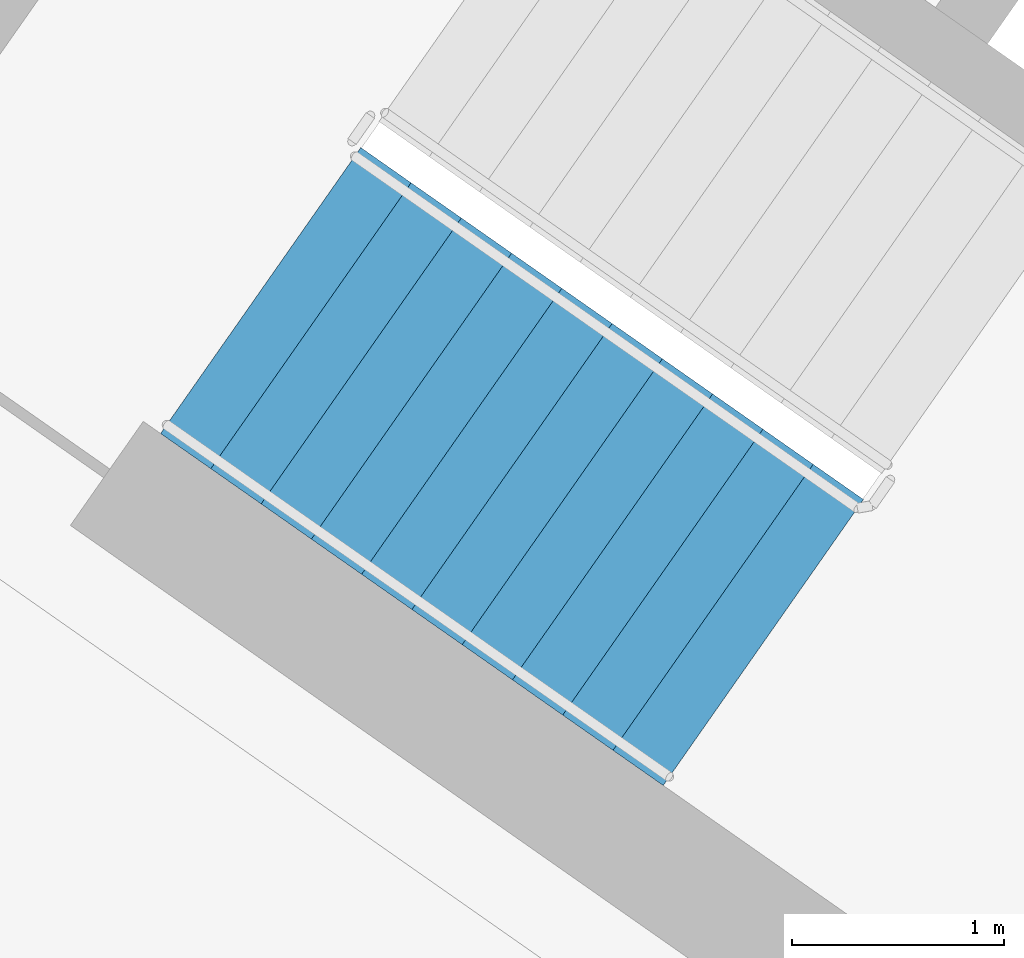
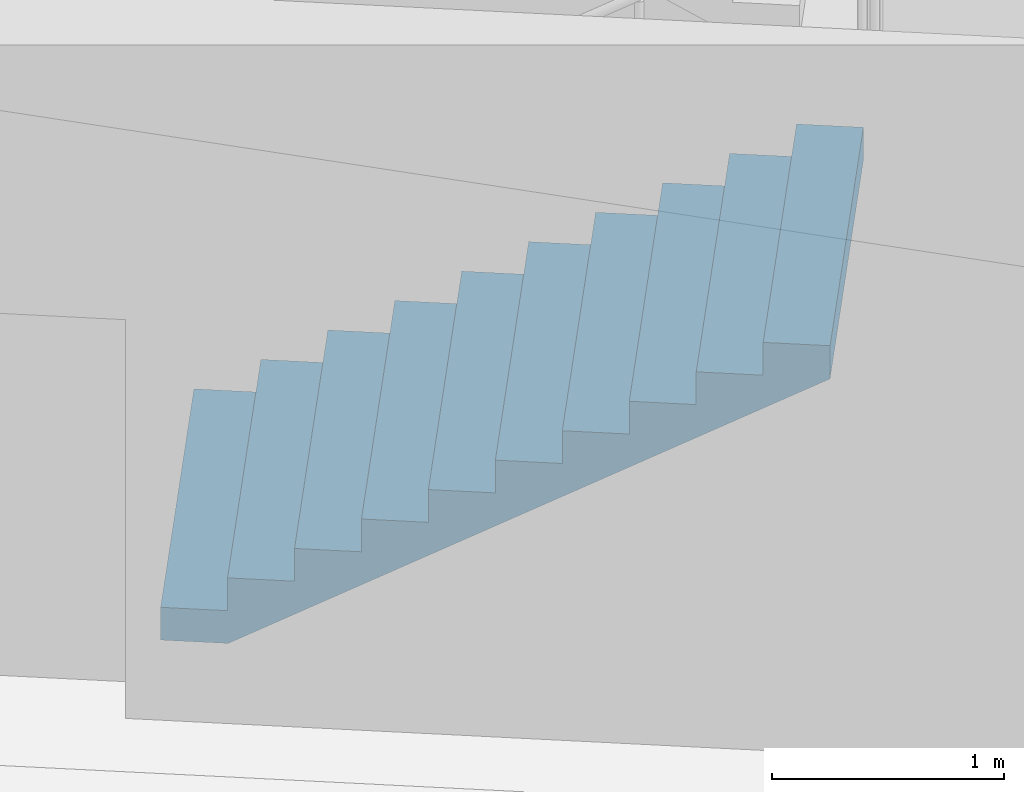
# One storey, part 9 of 27: 1 stair flight, 1 element without a shape of its own.
"""IFC4 building model written with IfcOpenShell, lengths in metres."""

import ifcopenshell
import ifcopenshell.guid

model = None  # the IFC model being written
_history = None  # IfcOwnerHistory: only IFC2X3 demands one
_inside = {}  # id of a spatial element -> (the spatial element, [elements in it])
_under = {}  # id of a project, library or spatial element -> (it, [spatial elements below it])
_declared = {}  # id of a project -> (the project, [libraries it declares])
_typed = {}  # id of a type object -> (the type object, [elements of that type])
_made_of = {}  # id of a material, layer set ... -> (it, [elements and type objects made of it])


def new_model(schema):
    """Start an empty IFC model of exactly this schema.

    Asked for "IFC4X3", IfcOpenShell would pick the latest addendum, in which some entities
    have other attributes; the version numbers below select the first issue.
    IFC2X3 requires an IfcOwnerHistory on every rooted entity: one is made here for all.
    """
    global model, _history
    if schema == "IFC4X3":
        model = ifcopenshell.file(schema_version=(4, 3, 0, 0))
    else:
        model = ifcopenshell.file(schema=schema)
    _inside.clear()
    _under.clear()
    _declared.clear()
    _typed.clear()
    _made_of.clear()
    _history = None
    if model.schema == "IFC2X3":
        org = make("IfcOrganization", Name="unknown")
        user = make(
            "IfcPersonAndOrganization",
            ThePerson=make("IfcPerson", FamilyName="unknown"),
            TheOrganization=org,
        )
        app = make(
            "IfcApplication",
            ApplicationDeveloper=org,
            Version="unknown",
            ApplicationFullName="unknown",
            ApplicationIdentifier="unknown",
        )
        _history = make(
            "IfcOwnerHistory",
            OwningUser=user,
            OwningApplication=app,
            ChangeAction="ADDED",
            CreationDate=0,
        )
    return model


def make(cls, **values):
    """One entity of the class cls with the attributes given. An attribute that is None is left unset."""
    return model.create_entity(
        cls, **{name: value for name, value in values.items() if value is not None}
    )


def rooted(cls, **values):
    """An entity with a GlobalId (a new one), such as an element, a storey or a relation."""
    return make(cls, GlobalId=ifcopenshell.guid.new(), OwnerHistory=_history, **values)


def si_unit(unit_type, name, prefix=None):
    """IfcSIUnit, for example si_unit("LENGTHUNIT", "METRE", prefix="MILLI")."""
    return make("IfcSIUnit", UnitType=unit_type, Prefix=prefix, Name=name)


def assignment(units):
    """IfcUnitAssignment: the units of a project."""
    return None if units is None else make("IfcUnitAssignment", Units=units)


def point(xyz):
    """IfcCartesianPoint."""
    return None if xyz is None else make("IfcCartesianPoint", Coordinates=xyz)


def direction(xyz):
    """IfcDirection."""
    return None if xyz is None else make("IfcDirection", DirectionRatios=xyz)


def frame(location, z_axis=None, x_axis=None):
    """IfcAxis2Placement3D, a coordinate frame: its origin and axes. An axis left out is left unset."""
    return make(
        "IfcAxis2Placement3D",
        Location=point(location),
        Axis=direction(z_axis),
        RefDirection=direction(x_axis),
    )


def origin():
    """The frame at (0, 0, 0) with its axes left unset."""
    return frame((0.0, 0.0, 0.0))


def place(relative_to, where):
    """IfcLocalPlacement: puts the frame where relative to a parent placement (None: the world)."""
    return make(
        "IfcLocalPlacement", PlacementRelTo=relative_to, RelativePlacement=where
    )


def context(
    kind, dimensions, precision=None, world=None, true_north=None, identifier=None
):
    """IfcGeometricRepresentationContext, for example the 3D "Model" context."""
    return make(
        "IfcGeometricRepresentationContext",
        ContextIdentifier=identifier,
        ContextType=kind,
        CoordinateSpaceDimension=dimensions,
        Precision=precision,
        WorldCoordinateSystem=world,
        TrueNorth=true_north,
    )


def subcontext(parent, identifier, kind, view, scale=None):
    """IfcGeometricRepresentationSubContext, for example "Body" below "Model"."""
    return make(
        "IfcGeometricRepresentationSubContext",
        ContextIdentifier=identifier,
        ContextType=kind,
        ParentContext=parent,
        TargetScale=scale,
        TargetView=view,
    )


def project(units=None, contexts=None):
    """IfcProject with its units and contexts."""
    return rooted(
        "IfcProject",
        Name="project",
        RepresentationContexts=contexts,
        UnitsInContext=assignment(units),
    )


def spatial(cls, under=None, at=None, **own):
    """A site, building, storey or space (cls), placed at a placement, below another one or the project."""
    s = rooted(cls, ObjectPlacement=at, **own)
    if under is not None:
        _under.setdefault(under.id(), (under, []))[1].append(s)
    return s


def faces_of(points, faces, orient=None, outer=None):
    """IfcFace entities. A face is a list of loops; a loop is a list of indices into points, from 0.

    orient and outer hold one flag for each loop. By default every Orientation is true, the
    first loop of a face is its IfcFaceOuterBound and the others are IfcFaceBound.
    """
    made = []
    for i, loops in enumerate(faces):
        bounds = []
        for j, loop in enumerate(loops):
            is_outer = j == 0 if outer is None else outer[i][j]
            bounds.append(
                make(
                    "IfcFaceOuterBound" if is_outer else "IfcFaceBound",
                    Bound=make("IfcPolyLoop", Polygon=[points[k] for k in loop]),
                    Orientation=True if orient is None else orient[i][j],
                )
            )
        made.append(make("IfcFace", Bounds=bounds))
    return made


def faceted_brep(points, faces, orient=None, outer=None, voids=None):
    """IfcFacetedBrep: a solid bounded by flat faces; with voids (closed shells), ...WithVoids."""
    shared = [point(p) for p in points]
    hull = make("IfcClosedShell", CfsFaces=faces_of(shared, faces, orient, outer))
    if voids is None:
        return make("IfcFacetedBrep", Outer=hull)
    return make(
        "IfcFacetedBrepWithVoids",
        Outer=hull,
        Voids=[
            make(cls, CfsFaces=faces_of(shared, fs, o, b)) for cls, fs, o, b in voids
        ],
    )


def shape(context_of_items, identifier, shape_type, items):
    """IfcShapeRepresentation: the items that make up one representation, for example the "Body"."""
    return make(
        "IfcShapeRepresentation",
        ContextOfItems=context_of_items,
        RepresentationIdentifier=identifier,
        RepresentationType=shape_type,
        Items=items,
    )


def material(Name=None, Category=None):
    """IfcMaterial."""
    return make("IfcMaterial", Name=Name, Category=Category)


def made_of(thing, what):
    """Note that an element or type object is made of a material, layer set ...; save() writes the relation."""
    if what is not None:
        _made_of.setdefault(what.id(), (what, []))[1].append(thing)
    return thing


def type_object(cls, material=None, **own):
    """A type object (cls), such as IfcWallType, which elements share."""
    return made_of(rooted(cls, **own), material)


def element(
    cls,
    number,
    at=None,
    inside=None,
    cuts=None,
    type_object=None,
    material=None,
    context=None,
    identifier="Body",
    shape_type=None,
    held_by="IfcProductDefinitionShape",
    body=None,
    shapes=None,
    **own,
):
    """One element of the class cls, such as IfcWall. Its Tag is "e" and its number.

    at: its placement. inside: the storey or other place that contains it. cuts: it is an
    opening in that element (IfcRelVoidsElement). A single representation is given by context,
    identifier, shape_type and body (its items); several are given by shapes. held_by: the class
    of the entity that holds the representations. save() writes the other relations.
    """
    e = rooted(cls, Tag="e%d" % number, ObjectPlacement=at, **own)
    if body is not None:
        shapes = [shape(context, identifier, shape_type, body)]
    if shapes is not None:
        e.Representation = make(held_by, Representations=shapes)
    if inside is not None:
        _inside.setdefault(inside.id(), (inside, []))[1].append(e)
    if cuts is not None:
        rooted(
            "IfcRelVoidsElement", RelatingBuildingElement=cuts, RelatedOpeningElement=e
        )
    if type_object is not None:
        _typed.setdefault(type_object.id(), (type_object, []))[1].append(e)
    return made_of(e, material)


def aggregate(whole, parts):
    """IfcRelAggregates: a whole, such as a stair, and the parts it consists of."""
    return rooted("IfcRelAggregates", RelatingObject=whole, RelatedObjects=parts)


def save(model, path):
    """Write the relations noted so far, then the file.

    IfcRelAggregates (storeys below a building ...), IfcRelContainedInSpatialStructure (elements
    in a storey), IfcRelDefinesByType, IfcRelAssociatesMaterial and IfcRelDeclares: one each for
    every whole, place, type object, material and project.
    """
    for whole, parts in _under.values():
        aggregate(whole, parts)
    for where, things in _inside.values():
        rooted(
            "IfcRelContainedInSpatialStructure",
            RelatedElements=things,
            RelatingStructure=where,
        )
    for kind, things in _typed.values():
        rooted("IfcRelDefinesByType", RelatedObjects=things, RelatingType=kind)
    for what, things in _made_of.values():
        rooted("IfcRelAssociatesMaterial", RelatedObjects=things, RelatingMaterial=what)
    for by, libraries in _declared.values():
        rooted("IfcRelDeclares", RelatingContext=by, RelatedDefinitions=libraries)
    model.write(path)


model = new_model("IFC4")

# Units and contexts
model_context = context("Model", 3, precision=1e-05, world=origin(), true_north=direction((0.0, 1.0)))
body_context = subcontext(model_context, "Body", "Model", "MODEL_VIEW")
ifc_project = project(units=[si_unit("LENGTHUNIT", "METRE"), si_unit("AREAUNIT", "SQUARE_METRE"), si_unit("VOLUMEUNIT", "CUBIC_METRE"), si_unit("PLANEANGLEUNIT", "RADIAN"), si_unit("MASSUNIT", "GRAM", prefix="KILO")], contexts=[model_context])

# Site, building, storey
site_placement = place(None, origin())
site = spatial("IfcSite", under=ifc_project, at=site_placement, CompositionType="ELEMENT")
building_placement = place(site_placement, origin())
building = spatial("IfcBuilding", under=site, at=building_placement, Name="Qamariyya Broadcast Tower", CompositionType="ELEMENT")
storey_placement = place(building_placement, frame((0.0, 0.0, 194.89990234375)))
storey = spatial("IfcBuildingStorey", under=building, at=storey_placement, Name="L46", CompositionType="ELEMENT", Elevation=194.89990234375)

# Stair, stair flight
ifc_material = material(Name="Concrete C50/60", Category="concrete")
stair_type = type_object("IfcStairType", Name="Exit stair 22 risers of 173 mm", PredefinedType="HALF_TURN_STAIR", material=ifc_material)
stair_placement = place(storey_placement, origin())
stair = element("IfcStair", 1, at=stair_placement, inside=storey, type_object=stair_type, Name="L46 Stair W1", PredefinedType="HALF_TURN_STAIR")
stair_flight_type = type_object("IfcStairFlightType", Name="Exit stair flight 11 risers of 173 mm", PredefinedType="STRAIGHT", material=ifc_material)
stair_flight_placement = place(storey_placement, frame((-47.06884765625, -56.982666015625, 0.0), z_axis=(0.0, 0.0, 1.0), x_axis=(0.819152044289, -0.573576436351, 0.0)))
stair_flight = element("IfcStairFlight", 2, at=stair_flight_placement, type_object=stair_flight_type, Name="ST-W1 flight 1", NumberOfRisers=11, NumberOfTreads=10, PredefinedType="STRAIGHT", RiserHeight=0.172727273, TreadLength=0.29, context=body_context, shape_type="Brep", body=[
    faceted_brep([(0.0, 0.824951171875, 0.0), (0.0, 0.824951171875, 0.172607421875), (0.2900390625, 0.824951171875, 0.172607421875), (0.2900390625, 0.824951171875, 0.345458984375), (0.580078125, 0.824951171875, 0.345458984375), (0.580078125, 0.824951171875, 0.51806640625), (0.8701171875, 0.824951171875, 0.51806640625), (0.8701171875, 0.824951171875, 0.69091796875), (1.159912109375, 0.824951171875, 0.69091796875), (1.159912109375, 0.824951171875, 0.863525390625), (1.449951171875, 0.824951171875, 0.863525390625), (1.449951171875, 0.824951171875, 1.036376953125), (1.739990234375, 0.824951171875, 1.036376953125), (1.739990234375, 0.824951171875, 1.208984375), (2.030029296875, 0.824951171875, 1.208984375), (2.030029296875, 0.824951171875, 1.3818359375), (2.320068359375, 0.824951171875, 1.3818359375), (2.320068359375, 0.824951171875, 1.554443359375), (2.610107421875, 0.824951171875, 1.554443359375), (2.610107421875, 0.824951171875, 1.727294921875), (2.89990234375, 0.824951171875, 1.727294921875), (2.89990234375, 0.824951171875, 1.552734375), (0.29296875, 0.824951171875, 0.0), (0.29296875, -0.824951171875, 0.0), (2.89990234375, -0.824951171875, 1.552734375), (2.89990234375, -0.824951171875, 1.727294921875), (2.610107421875, -0.824951171875, 1.727294921875), (2.610107421875, -0.824951171875, 1.554443359375), (2.320068359375, -0.824951171875, 1.554443359375), (2.320068359375, -0.824951171875, 1.3818359375), (2.030029296875, -0.824951171875, 1.3818359375), (2.030029296875, -0.824951171875, 1.208984375), (1.739990234375, -0.824951171875, 1.208984375), (1.739990234375, -0.824951171875, 1.036376953125), (1.449951171875, -0.824951171875, 1.036376953125), (1.449951171875, -0.824951171875, 0.863525390625), (1.159912109375, -0.824951171875, 0.863525390625), (1.159912109375, -0.824951171875, 0.69091796875), (0.8701171875, -0.824951171875, 0.69091796875), (0.8701171875, -0.824951171875, 0.51806640625), (0.580078125, -0.824951171875, 0.51806640625), (0.580078125, -0.824951171875, 0.345458984375), (0.2900390625, -0.824951171875, 0.345458984375), (0.2900390625, -0.824951171875, 0.172607421875), (0.0, -0.824951171875, 0.172607421875), (0.0, -0.824951171875, 0.0), (0.0, 0.10009765625, 0.0), (0.0, 0.086669921875, 0.0), (0.0, 0.0732421875, 0.0), (0.0, 0.06005859375, 0.0), (0.0, 0.046630859375, 0.0), (0.0, 0.033447265625, 0.0), (0.0, 0.02001953125, 0.0), (0.0, 0.006591796875, 0.0), (0.0, -0.006591796875, 0.0), (0.0, -0.02001953125, 0.0), (0.0, -0.033447265625, 0.0), (0.0, -0.046630859375, 0.0), (0.0, -0.06005859375, 0.0), (0.0, -0.0732421875, 0.0), (0.0, -0.086669921875, 0.0), (0.0, -0.10009765625, 0.0), (0.0, -0.10009765625, 0.172607421875), (0.0, -0.086669921875, 0.172607421875), (0.0, -0.0732421875, 0.172607421875), (0.0, -0.06005859375, 0.172607421875), (0.0, -0.046630859375, 0.172607421875), (0.0, -0.033447265625, 0.172607421875), (0.0, -0.02001953125, 0.172607421875), (0.0, -0.006591796875, 0.172607421875), (0.0, 0.006591796875, 0.172607421875), (0.0, 0.02001953125, 0.172607421875), (0.0, 0.033447265625, 0.172607421875), (0.0, 0.046630859375, 0.172607421875), (0.0, 0.06005859375, 0.172607421875), (0.0, 0.0732421875, 0.172607421875), (0.0, 0.086669921875, 0.172607421875), (0.0, 0.10009765625, 0.172607421875), (0.2900390625, -0.10009765625, 0.172607421875), (0.2900390625, -0.086669921875, 0.172607421875), (0.2900390625, -0.0732421875, 0.172607421875), (0.2900390625, -0.06005859375, 0.172607421875), (0.2900390625, -0.046630859375, 0.172607421875), (0.2900390625, -0.033447265625, 0.172607421875), (0.2900390625, -0.02001953125, 0.172607421875), (0.2900390625, -0.006591796875, 0.172607421875), (0.2900390625, 0.006591796875, 0.172607421875), (0.2900390625, 0.02001953125, 0.172607421875), (0.2900390625, 0.033447265625, 0.172607421875), (0.2900390625, 0.046630859375, 0.172607421875), (0.2900390625, 0.06005859375, 0.172607421875), (0.2900390625, 0.0732421875, 0.172607421875), (0.2900390625, 0.086669921875, 0.172607421875), (0.2900390625, 0.10009765625, 0.172607421875), (0.2900390625, -0.10009765625, 0.345458984375), (0.2900390625, -0.086669921875, 0.345458984375), (0.2900390625, -0.0732421875, 0.345458984375), (0.2900390625, -0.06005859375, 0.345458984375), (0.2900390625, -0.046630859375, 0.345458984375), (0.2900390625, -0.033447265625, 0.345458984375), (0.2900390625, -0.02001953125, 0.345458984375), (0.2900390625, -0.006591796875, 0.345458984375), (0.2900390625, 0.006591796875, 0.345458984375), (0.2900390625, 0.02001953125, 0.345458984375), (0.2900390625, 0.033447265625, 0.345458984375), (0.2900390625, 0.046630859375, 0.345458984375), (0.2900390625, 0.06005859375, 0.345458984375), (0.2900390625, 0.0732421875, 0.345458984375), (0.2900390625, 0.086669921875, 0.345458984375), (0.2900390625, 0.10009765625, 0.345458984375), (0.580078125, -0.10009765625, 0.345458984375), (0.580078125, -0.086669921875, 0.345458984375), (0.580078125, -0.0732421875, 0.345458984375), (0.580078125, -0.06005859375, 0.345458984375), (0.580078125, -0.046630859375, 0.345458984375), (0.580078125, -0.033447265625, 0.345458984375), (0.580078125, -0.02001953125, 0.345458984375), (0.580078125, -0.006591796875, 0.345458984375), (0.580078125, 0.006591796875, 0.345458984375), (0.580078125, 0.02001953125, 0.345458984375), (0.580078125, 0.033447265625, 0.345458984375), (0.580078125, 0.046630859375, 0.345458984375), (0.580078125, 0.06005859375, 0.345458984375), (0.580078125, 0.0732421875, 0.345458984375), (0.580078125, 0.086669921875, 0.345458984375), (0.580078125, 0.10009765625, 0.345458984375), (0.580078125, -0.10009765625, 0.51806640625), (0.580078125, -0.086669921875, 0.51806640625), (0.580078125, -0.0732421875, 0.51806640625), (0.580078125, -0.06005859375, 0.51806640625), (0.580078125, -0.046630859375, 0.51806640625), (0.580078125, -0.033447265625, 0.51806640625), (0.580078125, -0.02001953125, 0.51806640625), (0.580078125, -0.006591796875, 0.51806640625), (0.580078125, 0.006591796875, 0.51806640625), (0.580078125, 0.02001953125, 0.51806640625), (0.580078125, 0.033447265625, 0.51806640625), (0.580078125, 0.046630859375, 0.51806640625), (0.580078125, 0.06005859375, 0.51806640625), (0.580078125, 0.0732421875, 0.51806640625), (0.580078125, 0.086669921875, 0.51806640625), (0.580078125, 0.10009765625, 0.51806640625), (0.8701171875, -0.10009765625, 0.51806640625), (0.8701171875, -0.086669921875, 0.51806640625), (0.8701171875, -0.0732421875, 0.51806640625), (0.8701171875, -0.06005859375, 0.51806640625), (0.8701171875, -0.046630859375, 0.51806640625), (0.8701171875, -0.033447265625, 0.51806640625), (0.8701171875, -0.02001953125, 0.51806640625), (0.8701171875, -0.006591796875, 0.51806640625), (0.8701171875, 0.006591796875, 0.51806640625), (0.8701171875, 0.02001953125, 0.51806640625), (0.8701171875, 0.033447265625, 0.51806640625), (0.8701171875, 0.046630859375, 0.51806640625), (0.8701171875, 0.06005859375, 0.51806640625), (0.8701171875, 0.0732421875, 0.51806640625), (0.8701171875, 0.086669921875, 0.51806640625), (0.8701171875, 0.10009765625, 0.51806640625), (0.8701171875, -0.10009765625, 0.69091796875), (0.8701171875, -0.086669921875, 0.69091796875), (0.8701171875, -0.0732421875, 0.69091796875), (0.8701171875, -0.06005859375, 0.69091796875), (0.8701171875, -0.046630859375, 0.69091796875), (0.8701171875, -0.033447265625, 0.69091796875), (0.8701171875, -0.02001953125, 0.69091796875), (0.8701171875, -0.006591796875, 0.69091796875), (0.8701171875, 0.006591796875, 0.69091796875), (0.8701171875, 0.02001953125, 0.69091796875), (0.8701171875, 0.033447265625, 0.69091796875), (0.8701171875, 0.046630859375, 0.69091796875), (0.8701171875, 0.06005859375, 0.69091796875), (0.8701171875, 0.0732421875, 0.69091796875), (0.8701171875, 0.086669921875, 0.69091796875), (0.8701171875, 0.10009765625, 0.69091796875), (1.159912109375, -0.10009765625, 0.69091796875), (1.159912109375, -0.086669921875, 0.69091796875), (1.159912109375, -0.0732421875, 0.69091796875), (1.159912109375, -0.06005859375, 0.69091796875), (1.159912109375, -0.046630859375, 0.69091796875), (1.159912109375, -0.033447265625, 0.69091796875), (1.159912109375, -0.02001953125, 0.69091796875), (1.159912109375, -0.006591796875, 0.69091796875), (1.159912109375, 0.006591796875, 0.69091796875), (1.159912109375, 0.02001953125, 0.69091796875), (1.159912109375, 0.033447265625, 0.69091796875), (1.159912109375, 0.046630859375, 0.69091796875), (1.159912109375, 0.06005859375, 0.69091796875), (1.159912109375, 0.0732421875, 0.69091796875), (1.159912109375, 0.086669921875, 0.69091796875), (1.159912109375, 0.10009765625, 0.69091796875), (1.159912109375, -0.10009765625, 0.863525390625), (1.159912109375, -0.086669921875, 0.863525390625), (1.159912109375, -0.0732421875, 0.863525390625), (1.159912109375, -0.06005859375, 0.863525390625), (1.159912109375, -0.046630859375, 0.863525390625), (1.159912109375, -0.033447265625, 0.863525390625), (1.159912109375, -0.02001953125, 0.863525390625), (1.159912109375, -0.006591796875, 0.863525390625), (1.159912109375, 0.006591796875, 0.863525390625), (1.159912109375, 0.02001953125, 0.863525390625), (1.159912109375, 0.033447265625, 0.863525390625), (1.159912109375, 0.046630859375, 0.863525390625), (1.159912109375, 0.06005859375, 0.863525390625), (1.159912109375, 0.0732421875, 0.863525390625), (1.159912109375, 0.086669921875, 0.863525390625), (1.159912109375, 0.10009765625, 0.863525390625), (1.449951171875, -0.10009765625, 0.863525390625), (1.449951171875, -0.086669921875, 0.863525390625), (1.449951171875, -0.0732421875, 0.863525390625), (1.449951171875, -0.06005859375, 0.863525390625), (1.449951171875, -0.046630859375, 0.863525390625), (1.449951171875, -0.033447265625, 0.863525390625), (1.449951171875, -0.02001953125, 0.863525390625), (1.449951171875, -0.006591796875, 0.863525390625), (1.449951171875, 0.006591796875, 0.863525390625), (1.449951171875, 0.02001953125, 0.863525390625), (1.449951171875, 0.033447265625, 0.863525390625), (1.449951171875, 0.046630859375, 0.863525390625), (1.449951171875, 0.06005859375, 0.863525390625), (1.449951171875, 0.0732421875, 0.863525390625), (1.449951171875, 0.086669921875, 0.863525390625), (1.449951171875, 0.10009765625, 0.863525390625), (1.449951171875, -0.10009765625, 1.036376953125), (1.449951171875, -0.086669921875, 1.036376953125), (1.449951171875, -0.0732421875, 1.036376953125), (1.449951171875, -0.06005859375, 1.036376953125), (1.449951171875, -0.046630859375, 1.036376953125), (1.449951171875, -0.033447265625, 1.036376953125), (1.449951171875, -0.02001953125, 1.036376953125), (1.449951171875, -0.006591796875, 1.036376953125), (1.449951171875, 0.006591796875, 1.036376953125), (1.449951171875, 0.02001953125, 1.036376953125), (1.449951171875, 0.033447265625, 1.036376953125), (1.449951171875, 0.046630859375, 1.036376953125), (1.449951171875, 0.06005859375, 1.036376953125), (1.449951171875, 0.0732421875, 1.036376953125), (1.449951171875, 0.086669921875, 1.036376953125), (1.449951171875, 0.10009765625, 1.036376953125), (1.739990234375, -0.10009765625, 1.036376953125), (1.739990234375, -0.086669921875, 1.036376953125), (1.739990234375, -0.0732421875, 1.036376953125), (1.739990234375, -0.06005859375, 1.036376953125), (1.739990234375, -0.046630859375, 1.036376953125), (1.739990234375, -0.033447265625, 1.036376953125), (1.739990234375, -0.02001953125, 1.036376953125), (1.739990234375, -0.006591796875, 1.036376953125), (1.739990234375, 0.006591796875, 1.036376953125), (1.739990234375, 0.02001953125, 1.036376953125), (1.739990234375, 0.033447265625, 1.036376953125), (1.739990234375, 0.046630859375, 1.036376953125), (1.739990234375, 0.06005859375, 1.036376953125), (1.739990234375, 0.0732421875, 1.036376953125), (1.739990234375, 0.086669921875, 1.036376953125), (1.739990234375, 0.10009765625, 1.036376953125), (1.739990234375, -0.10009765625, 1.208984375), (1.739990234375, -0.086669921875, 1.208984375), (1.739990234375, -0.0732421875, 1.208984375), (1.739990234375, -0.06005859375, 1.208984375), (1.739990234375, -0.046630859375, 1.208984375), (1.739990234375, -0.033447265625, 1.208984375), (1.739990234375, -0.02001953125, 1.208984375), (1.739990234375, -0.006591796875, 1.208984375), (1.739990234375, 0.006591796875, 1.208984375), (1.739990234375, 0.02001953125, 1.208984375), (1.739990234375, 0.033447265625, 1.208984375), (1.739990234375, 0.046630859375, 1.208984375), (1.739990234375, 0.06005859375, 1.208984375), (1.739990234375, 0.0732421875, 1.208984375), (1.739990234375, 0.086669921875, 1.208984375), (1.739990234375, 0.10009765625, 1.208984375), (2.030029296875, -0.10009765625, 1.208984375), (2.030029296875, -0.086669921875, 1.208984375), (2.030029296875, -0.0732421875, 1.208984375), (2.030029296875, -0.06005859375, 1.208984375), (2.030029296875, -0.046630859375, 1.208984375), (2.030029296875, -0.033447265625, 1.208984375), (2.030029296875, -0.02001953125, 1.208984375), (2.030029296875, -0.006591796875, 1.208984375), (2.030029296875, 0.006591796875, 1.208984375), (2.030029296875, 0.02001953125, 1.208984375), (2.030029296875, 0.033447265625, 1.208984375), (2.030029296875, 0.046630859375, 1.208984375), (2.030029296875, 0.06005859375, 1.208984375), (2.030029296875, 0.0732421875, 1.208984375), (2.030029296875, 0.086669921875, 1.208984375), (2.030029296875, 0.10009765625, 1.208984375), (2.030029296875, -0.10009765625, 1.3818359375), (2.030029296875, -0.086669921875, 1.3818359375), (2.030029296875, -0.0732421875, 1.3818359375), (2.030029296875, -0.06005859375, 1.3818359375), (2.030029296875, -0.046630859375, 1.3818359375), (2.030029296875, -0.033447265625, 1.3818359375), (2.030029296875, -0.02001953125, 1.3818359375), (2.030029296875, -0.006591796875, 1.3818359375), (2.030029296875, 0.006591796875, 1.3818359375), (2.030029296875, 0.02001953125, 1.3818359375), (2.030029296875, 0.033447265625, 1.3818359375), (2.030029296875, 0.046630859375, 1.3818359375), (2.030029296875, 0.06005859375, 1.3818359375), (2.030029296875, 0.0732421875, 1.3818359375), (2.030029296875, 0.086669921875, 1.3818359375), (2.030029296875, 0.10009765625, 1.3818359375), (2.320068359375, -0.10009765625, 1.3818359375), (2.320068359375, -0.086669921875, 1.3818359375), (2.320068359375, -0.0732421875, 1.3818359375), (2.320068359375, -0.06005859375, 1.3818359375), (2.320068359375, -0.046630859375, 1.3818359375), (2.320068359375, -0.033447265625, 1.3818359375), (2.320068359375, -0.02001953125, 1.3818359375), (2.320068359375, -0.006591796875, 1.3818359375), (2.320068359375, 0.006591796875, 1.3818359375), (2.320068359375, 0.02001953125, 1.3818359375), (2.320068359375, 0.033447265625, 1.3818359375), (2.320068359375, 0.046630859375, 1.3818359375), (2.320068359375, 0.06005859375, 1.3818359375), (2.320068359375, 0.0732421875, 1.3818359375), (2.320068359375, 0.086669921875, 1.3818359375), (2.320068359375, 0.10009765625, 1.3818359375), (2.320068359375, -0.10009765625, 1.554443359375), (2.320068359375, -0.086669921875, 1.554443359375), (2.320068359375, -0.0732421875, 1.554443359375), (2.320068359375, -0.06005859375, 1.554443359375), (2.320068359375, -0.046630859375, 1.554443359375), (2.320068359375, -0.033447265625, 1.554443359375), (2.320068359375, -0.02001953125, 1.554443359375), (2.320068359375, -0.006591796875, 1.554443359375), (2.320068359375, 0.006591796875, 1.554443359375), (2.320068359375, 0.02001953125, 1.554443359375), (2.320068359375, 0.033447265625, 1.554443359375), (2.320068359375, 0.046630859375, 1.554443359375), (2.320068359375, 0.06005859375, 1.554443359375), (2.320068359375, 0.0732421875, 1.554443359375), (2.320068359375, 0.086669921875, 1.554443359375), (2.320068359375, 0.10009765625, 1.554443359375), (2.610107421875, -0.10009765625, 1.554443359375), (2.610107421875, -0.086669921875, 1.554443359375), (2.610107421875, -0.0732421875, 1.554443359375), (2.610107421875, -0.06005859375, 1.554443359375), (2.610107421875, -0.046630859375, 1.554443359375), (2.610107421875, -0.033447265625, 1.554443359375), (2.610107421875, -0.02001953125, 1.554443359375), (2.610107421875, -0.006591796875, 1.554443359375), (2.610107421875, 0.006591796875, 1.554443359375), (2.610107421875, 0.02001953125, 1.554443359375), (2.610107421875, 0.033447265625, 1.554443359375), (2.610107421875, 0.046630859375, 1.554443359375), (2.610107421875, 0.06005859375, 1.554443359375), (2.610107421875, 0.0732421875, 1.554443359375), (2.610107421875, 0.086669921875, 1.554443359375), (2.610107421875, 0.10009765625, 1.554443359375), (2.610107421875, -0.10009765625, 1.727294921875), (2.610107421875, -0.086669921875, 1.727294921875), (2.610107421875, -0.0732421875, 1.727294921875), (2.610107421875, -0.06005859375, 1.727294921875), (2.610107421875, -0.046630859375, 1.727294921875), (2.610107421875, -0.033447265625, 1.727294921875), (2.610107421875, -0.02001953125, 1.727294921875), (2.610107421875, -0.006591796875, 1.727294921875), (2.610107421875, 0.006591796875, 1.727294921875), (2.610107421875, 0.02001953125, 1.727294921875), (2.610107421875, 0.033447265625, 1.727294921875), (2.610107421875, 0.046630859375, 1.727294921875), (2.610107421875, 0.06005859375, 1.727294921875), (2.610107421875, 0.0732421875, 1.727294921875), (2.610107421875, 0.086669921875, 1.727294921875), (2.610107421875, 0.10009765625, 1.727294921875), (2.89990234375, -0.10009765625, 1.727294921875), (2.89990234375, -0.086669921875, 1.727294921875), (2.89990234375, -0.0732421875, 1.727294921875), (2.89990234375, -0.06005859375, 1.727294921875), (2.89990234375, -0.046630859375, 1.727294921875), (2.89990234375, -0.033447265625, 1.727294921875), (2.89990234375, -0.02001953125, 1.727294921875), (2.89990234375, -0.006591796875, 1.727294921875), (2.89990234375, 0.006591796875, 1.727294921875), (2.89990234375, 0.02001953125, 1.727294921875), (2.89990234375, 0.033447265625, 1.727294921875), (2.89990234375, 0.046630859375, 1.727294921875), (2.89990234375, 0.06005859375, 1.727294921875), (2.89990234375, 0.0732421875, 1.727294921875), (2.89990234375, 0.086669921875, 1.727294921875), (2.89990234375, 0.10009765625, 1.727294921875), (2.89990234375, -0.10009765625, 1.552734375), (2.89990234375, -0.086669921875, 1.552734375), (2.89990234375, -0.0732421875, 1.552734375), (2.89990234375, -0.06005859375, 1.552734375), (2.89990234375, -0.046630859375, 1.552734375), (2.89990234375, -0.033447265625, 1.552734375), (2.89990234375, -0.02001953125, 1.552734375), (2.89990234375, -0.006591796875, 1.552734375), (2.89990234375, 0.006591796875, 1.552734375), (2.89990234375, 0.02001953125, 1.552734375), (2.89990234375, 0.033447265625, 1.552734375), (2.89990234375, 0.046630859375, 1.552734375), (2.89990234375, 0.06005859375, 1.552734375), (2.89990234375, 0.0732421875, 1.552734375), (2.89990234375, 0.086669921875, 1.552734375), (2.89990234375, 0.10009765625, 1.552734375), (0.29296875, -0.10009765625, 0.0), (0.29296875, -0.086669921875, 0.0), (0.29296875, -0.0732421875, 0.0), (0.29296875, -0.06005859375, 0.0), (0.29296875, -0.046630859375, 0.0), (0.29296875, -0.033447265625, 0.0), (0.29296875, -0.02001953125, 0.0), (0.29296875, -0.006591796875, 0.0), (0.29296875, 0.006591796875, 0.0), (0.29296875, 0.02001953125, 0.0), (0.29296875, 0.033447265625, 0.0), (0.29296875, 0.046630859375, 0.0), (0.29296875, 0.06005859375, 0.0), (0.29296875, 0.0732421875, 0.0), (0.29296875, 0.086669921875, 0.0), (0.29296875, 0.10009765625, 0.0)], [[[0, 1, 2, 3, 4, 5, 6, 7, 8, 9, 10, 11, 12, 13, 14, 15, 16, 17, 18, 19, 20, 21, 22]], [[23, 24, 25, 26, 27, 28, 29, 30, 31, 32, 33, 34, 35, 36, 37, 38, 39, 40, 41, 42, 43, 44, 45]], [[0, 46, 47, 48, 49, 50, 51, 52, 53, 54, 55, 56, 57, 58, 59, 60, 61, 45, 44, 62, 63, 64, 65, 66, 67, 68, 69, 70, 71, 72, 73, 74, 75, 76, 77, 1]], [[1, 77, 76, 75, 74, 73, 72, 71, 70, 69, 68, 67, 66, 65, 64, 63, 62, 44, 43, 78, 79, 80, 81, 82, 83, 84, 85, 86, 87, 88, 89, 90, 91, 92, 93, 2]], [[2, 93, 92, 91, 90, 89, 88, 87, 86, 85, 84, 83, 82, 81, 80, 79, 78, 43, 42, 94, 95, 96, 97, 98, 99, 100, 101, 102, 103, 104, 105, 106, 107, 108, 109, 3]], [[3, 109, 108, 107, 106, 105, 104, 103, 102, 101, 100, 99, 98, 97, 96, 95, 94, 42, 41, 110, 111, 112, 113, 114, 115, 116, 117, 118, 119, 120, 121, 122, 123, 124, 125, 4]], [[4, 125, 124, 123, 122, 121, 120, 119, 118, 117, 116, 115, 114, 113, 112, 111, 110, 41, 40, 126, 127, 128, 129, 130, 131, 132, 133, 134, 135, 136, 137, 138, 139, 140, 141, 5]], [[5, 141, 140, 139, 138, 137, 136, 135, 134, 133, 132, 131, 130, 129, 128, 127, 126, 40, 39, 142, 143, 144, 145, 146, 147, 148, 149, 150, 151, 152, 153, 154, 155, 156, 157, 6]], [[6, 157, 156, 155, 154, 153, 152, 151, 150, 149, 148, 147, 146, 145, 144, 143, 142, 39, 38, 158, 159, 160, 161, 162, 163, 164, 165, 166, 167, 168, 169, 170, 171, 172, 173, 7]], [[7, 173, 172, 171, 170, 169, 168, 167, 166, 165, 164, 163, 162, 161, 160, 159, 158, 38, 37, 174, 175, 176, 177, 178, 179, 180, 181, 182, 183, 184, 185, 186, 187, 188, 189, 8]], [[8, 189, 188, 187, 186, 185, 184, 183, 182, 181, 180, 179, 178, 177, 176, 175, 174, 37, 36, 190, 191, 192, 193, 194, 195, 196, 197, 198, 199, 200, 201, 202, 203, 204, 205, 9]], [[9, 205, 204, 203, 202, 201, 200, 199, 198, 197, 196, 195, 194, 193, 192, 191, 190, 36, 35, 206, 207, 208, 209, 210, 211, 212, 213, 214, 215, 216, 217, 218, 219, 220, 221, 10]], [[10, 221, 220, 219, 218, 217, 216, 215, 214, 213, 212, 211, 210, 209, 208, 207, 206, 35, 34, 222, 223, 224, 225, 226, 227, 228, 229, 230, 231, 232, 233, 234, 235, 236, 237, 11]], [[11, 237, 236, 235, 234, 233, 232, 231, 230, 229, 228, 227, 226, 225, 224, 223, 222, 34, 33, 238, 239, 240, 241, 242, 243, 244, 245, 246, 247, 248, 249, 250, 251, 252, 253, 12]], [[12, 253, 252, 251, 250, 249, 248, 247, 246, 245, 244, 243, 242, 241, 240, 239, 238, 33, 32, 254, 255, 256, 257, 258, 259, 260, 261, 262, 263, 264, 265, 266, 267, 268, 269, 13]], [[13, 269, 268, 267, 266, 265, 264, 263, 262, 261, 260, 259, 258, 257, 256, 255, 254, 32, 31, 270, 271, 272, 273, 274, 275, 276, 277, 278, 279, 280, 281, 282, 283, 284, 285, 14]], [[14, 285, 284, 283, 282, 281, 280, 279, 278, 277, 276, 275, 274, 273, 272, 271, 270, 31, 30, 286, 287, 288, 289, 290, 291, 292, 293, 294, 295, 296, 297, 298, 299, 300, 301, 15]], [[15, 301, 300, 299, 298, 297, 296, 295, 294, 293, 292, 291, 290, 289, 288, 287, 286, 30, 29, 302, 303, 304, 305, 306, 307, 308, 309, 310, 311, 312, 313, 314, 315, 316, 317, 16]], [[16, 317, 316, 315, 314, 313, 312, 311, 310, 309, 308, 307, 306, 305, 304, 303, 302, 29, 28, 318, 319, 320, 321, 322, 323, 324, 325, 326, 327, 328, 329, 330, 331, 332, 333, 17]], [[17, 333, 332, 331, 330, 329, 328, 327, 326, 325, 324, 323, 322, 321, 320, 319, 318, 28, 27, 334, 335, 336, 337, 338, 339, 340, 341, 342, 343, 344, 345, 346, 347, 348, 349, 18]], [[18, 349, 348, 347, 346, 345, 344, 343, 342, 341, 340, 339, 338, 337, 336, 335, 334, 27, 26, 350, 351, 352, 353, 354, 355, 356, 357, 358, 359, 360, 361, 362, 363, 364, 365, 19]], [[19, 365, 364, 363, 362, 361, 360, 359, 358, 357, 356, 355, 354, 353, 352, 351, 350, 26, 25, 366, 367, 368, 369, 370, 371, 372, 373, 374, 375, 376, 377, 378, 379, 380, 381, 20]], [[20, 381, 380, 379, 378, 377, 376, 375, 374, 373, 372, 371, 370, 369, 368, 367, 366, 25, 24, 382, 383, 384, 385, 386, 387, 388, 389, 390, 391, 392, 393, 394, 395, 396, 397, 21]], [[21, 397, 396, 395, 394, 393, 392, 391, 390, 389, 388, 387, 386, 385, 384, 383, 382, 24, 23, 398, 399, 400, 401, 402, 403, 404, 405, 406, 407, 408, 409, 410, 411, 412, 413, 22]], [[22, 413, 412, 411, 410, 409, 408, 407, 406, 405, 404, 403, 402, 401, 400, 399, 398, 23, 45, 61, 60, 59, 58, 57, 56, 55, 54, 53, 52, 51, 50, 49, 48, 47, 46, 0]]]),
])
aggregate(stair, [stair_flight])

save(model, "model.ifc")
